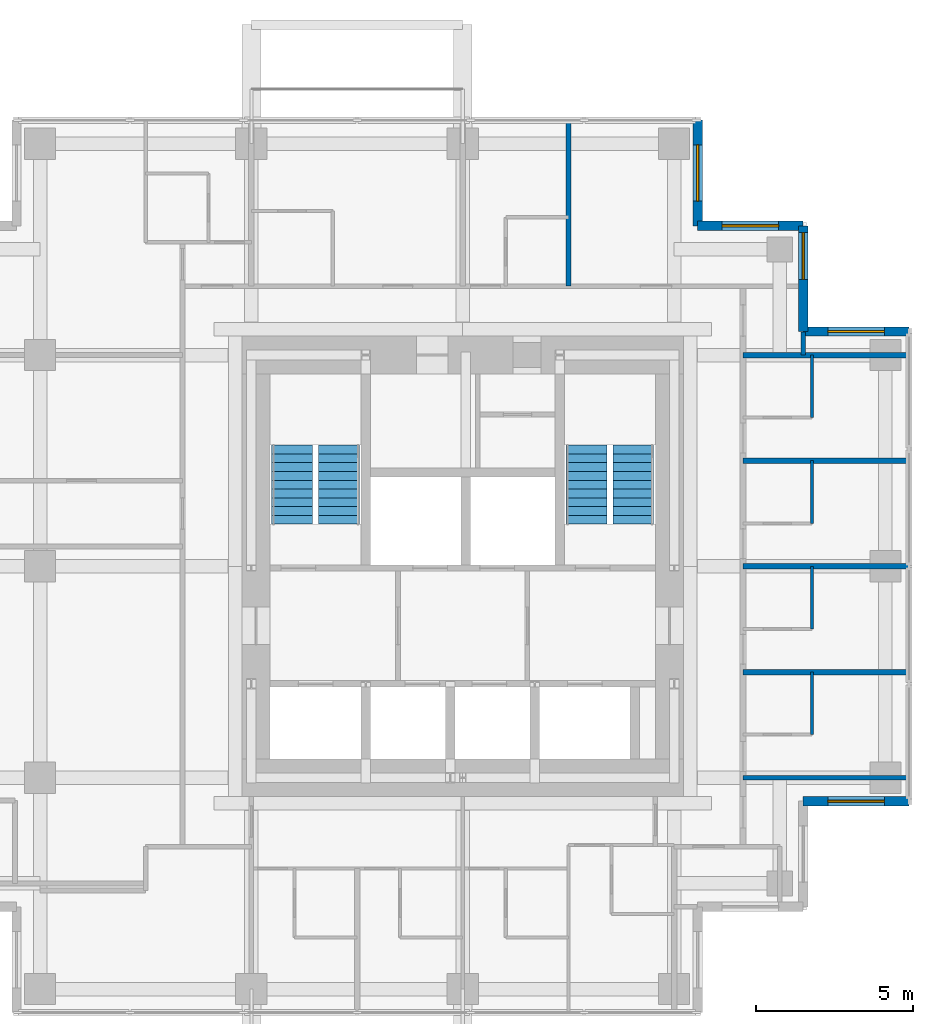
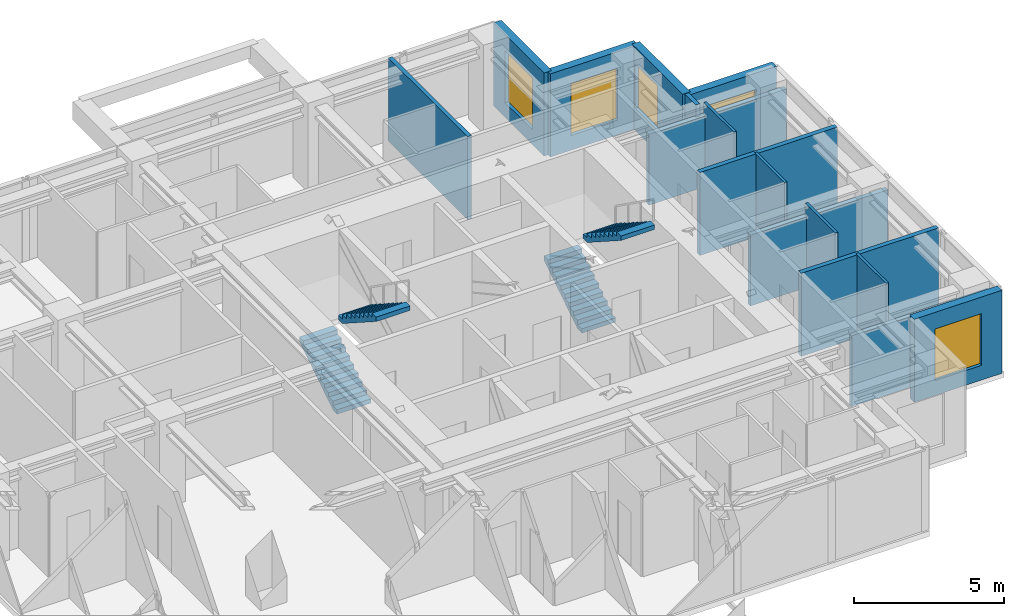
# One storey, part 7 of 8: 16 walls, 5 windows, 4 stair flights, 5 openings, 2 elements without a shape of their own.
"""IFC4 building model written with IfcOpenShell, lengths in metres."""

import ifcopenshell
import ifcopenshell.guid

model = None  # the IFC model being written
_history = None  # IfcOwnerHistory: only IFC2X3 demands one
_inside = {}  # id of a spatial element -> (the spatial element, [elements in it])
_under = {}  # id of a project, library or spatial element -> (it, [spatial elements below it])
_declared = {}  # id of a project -> (the project, [libraries it declares])
_typed = {}  # id of a type object -> (the type object, [elements of that type])
_made_of = {}  # id of a material, layer set ... -> (it, [elements and type objects made of it])


def new_model(schema):
    """Start an empty IFC model of exactly this schema.

    Asked for "IFC4X3", IfcOpenShell would pick the latest addendum, in which some entities
    have other attributes; the version numbers below select the first issue.
    IFC2X3 requires an IfcOwnerHistory on every rooted entity: one is made here for all.
    """
    global model, _history
    if schema == "IFC4X3":
        model = ifcopenshell.file(schema_version=(4, 3, 0, 0))
    else:
        model = ifcopenshell.file(schema=schema)
    _inside.clear()
    _under.clear()
    _declared.clear()
    _typed.clear()
    _made_of.clear()
    _history = None
    if model.schema == "IFC2X3":
        org = make("IfcOrganization", Name="unknown")
        user = make(
            "IfcPersonAndOrganization",
            ThePerson=make("IfcPerson", FamilyName="unknown"),
            TheOrganization=org,
        )
        app = make(
            "IfcApplication",
            ApplicationDeveloper=org,
            Version="unknown",
            ApplicationFullName="unknown",
            ApplicationIdentifier="unknown",
        )
        _history = make(
            "IfcOwnerHistory",
            OwningUser=user,
            OwningApplication=app,
            ChangeAction="ADDED",
            CreationDate=0,
        )
    return model


def make(cls, **values):
    """One entity of the class cls with the attributes given. An attribute that is None is left unset."""
    return model.create_entity(
        cls, **{name: value for name, value in values.items() if value is not None}
    )


def rooted(cls, **values):
    """An entity with a GlobalId (a new one), such as an element, a storey or a relation."""
    return make(cls, GlobalId=ifcopenshell.guid.new(), OwnerHistory=_history, **values)


def si_unit(unit_type, name, prefix=None):
    """IfcSIUnit, for example si_unit("LENGTHUNIT", "METRE", prefix="MILLI")."""
    return make("IfcSIUnit", UnitType=unit_type, Prefix=prefix, Name=name)


def assignment(units):
    """IfcUnitAssignment: the units of a project."""
    return None if units is None else make("IfcUnitAssignment", Units=units)


def point(xyz):
    """IfcCartesianPoint."""
    return None if xyz is None else make("IfcCartesianPoint", Coordinates=xyz)


def direction(xyz):
    """IfcDirection."""
    return None if xyz is None else make("IfcDirection", DirectionRatios=xyz)


def frame(location, z_axis=None, x_axis=None):
    """IfcAxis2Placement3D, a coordinate frame: its origin and axes. An axis left out is left unset."""
    return make(
        "IfcAxis2Placement3D",
        Location=point(location),
        Axis=direction(z_axis),
        RefDirection=direction(x_axis),
    )


def frame_2d(location, x_axis=None):
    """IfcAxis2Placement2D, a coordinate frame in the plane: its origin and x axis."""
    return make(
        "IfcAxis2Placement2D", Location=point(location), RefDirection=direction(x_axis)
    )


def origin():
    """The frame at (0, 0, 0) with its axes left unset."""
    return frame((0.0, 0.0, 0.0))


def place(relative_to, where):
    """IfcLocalPlacement: puts the frame where relative to a parent placement (None: the world)."""
    return make(
        "IfcLocalPlacement", PlacementRelTo=relative_to, RelativePlacement=where
    )


def context(
    kind, dimensions, precision=None, world=None, true_north=None, identifier=None
):
    """IfcGeometricRepresentationContext, for example the 3D "Model" context."""
    return make(
        "IfcGeometricRepresentationContext",
        ContextIdentifier=identifier,
        ContextType=kind,
        CoordinateSpaceDimension=dimensions,
        Precision=precision,
        WorldCoordinateSystem=world,
        TrueNorth=true_north,
    )


def subcontext(parent, identifier, kind, view, scale=None):
    """IfcGeometricRepresentationSubContext, for example "Body" below "Model"."""
    return make(
        "IfcGeometricRepresentationSubContext",
        ContextIdentifier=identifier,
        ContextType=kind,
        ParentContext=parent,
        TargetScale=scale,
        TargetView=view,
    )


def project(units=None, contexts=None):
    """IfcProject with its units and contexts."""
    return rooted(
        "IfcProject",
        Name="project",
        RepresentationContexts=contexts,
        UnitsInContext=assignment(units),
    )


def spatial(cls, under=None, at=None, **own):
    """A site, building, storey or space (cls), placed at a placement, below another one or the project."""
    s = rooted(cls, ObjectPlacement=at, **own)
    if under is not None:
        _under.setdefault(under.id(), (under, []))[1].append(s)
    return s


def polyline(points):
    """IfcPolyline through the points."""
    return make("IfcPolyline", Points=[point(p) for p in points])


def profile(cls, at=None, kind="AREA", **sizes):
    """A parametric profile (cls). Its sizes go by their IFC names, for example OverallWidth=200.0."""
    return make(cls, ProfileType=kind, Position=at, **sizes)


def rectangle(**sizes):
    """IfcRectangleProfileDef."""
    return profile("IfcRectangleProfileDef", **sizes)


def outline(outer, holes=None, kind="AREA"):
    """IfcArbitraryClosedProfileDef: a profile drawn as a closed curve; with holes, ...WithVoids."""
    if holes is None:
        return make("IfcArbitraryClosedProfileDef", ProfileType=kind, OuterCurve=outer)
    return make(
        "IfcArbitraryProfileDefWithVoids",
        ProfileType=kind,
        OuterCurve=outer,
        InnerCurves=holes,
    )


def extrude(swept, where, along, depth):
    """IfcExtrudedAreaSolid: the profile swept, set in the frame where, extruded along a direction by depth."""
    return make(
        "IfcExtrudedAreaSolid",
        SweptArea=swept,
        Position=where,
        ExtrudedDirection=direction(along),
        Depth=depth,
    )


def shape(context_of_items, identifier, shape_type, items):
    """IfcShapeRepresentation: the items that make up one representation, for example the "Body"."""
    return make(
        "IfcShapeRepresentation",
        ContextOfItems=context_of_items,
        RepresentationIdentifier=identifier,
        RepresentationType=shape_type,
        Items=items,
    )


def material(Name=None, Category=None):
    """IfcMaterial."""
    return make("IfcMaterial", Name=Name, Category=Category)


def layer(
    of_material, thickness, ventilated=None, Name=None, Category=None, Priority=None
):
    """IfcMaterialLayer: one layer of a wall or slab, of a material (None: an air gap)."""
    return make(
        "IfcMaterialLayer",
        Material=of_material,
        LayerThickness=thickness,
        IsVentilated=ventilated,
        Name=Name,
        Category=Category,
        Priority=Priority,
    )


def layer_set(layers, Name=None):
    """IfcMaterialLayerSet."""
    return make("IfcMaterialLayerSet", MaterialLayers=layers, LayerSetName=Name)


def made_of(thing, what):
    """Note that an element or type object is made of a material, layer set ...; save() writes the relation."""
    if what is not None:
        _made_of.setdefault(what.id(), (what, []))[1].append(thing)
    return thing


def type_object(cls, material=None, **own):
    """A type object (cls), such as IfcWallType, which elements share."""
    return made_of(rooted(cls, **own), material)


def element(
    cls,
    number,
    at=None,
    inside=None,
    cuts=None,
    type_object=None,
    material=None,
    context=None,
    identifier="Body",
    shape_type=None,
    held_by="IfcProductDefinitionShape",
    body=None,
    shapes=None,
    **own,
):
    """One element of the class cls, such as IfcWall. Its Tag is "e" and its number.

    at: its placement. inside: the storey or other place that contains it. cuts: it is an
    opening in that element (IfcRelVoidsElement). A single representation is given by context,
    identifier, shape_type and body (its items); several are given by shapes. held_by: the class
    of the entity that holds the representations. save() writes the other relations.
    """
    e = rooted(cls, Tag="e%d" % number, ObjectPlacement=at, **own)
    if body is not None:
        shapes = [shape(context, identifier, shape_type, body)]
    if shapes is not None:
        e.Representation = make(held_by, Representations=shapes)
    if inside is not None:
        _inside.setdefault(inside.id(), (inside, []))[1].append(e)
    if cuts is not None:
        rooted(
            "IfcRelVoidsElement", RelatingBuildingElement=cuts, RelatedOpeningElement=e
        )
    if type_object is not None:
        _typed.setdefault(type_object.id(), (type_object, []))[1].append(e)
    return made_of(e, material)


def fill(opening, filler):
    """IfcRelFillsElement: the door or window that sits in an opening."""
    return rooted(
        "IfcRelFillsElement",
        RelatingOpeningElement=opening,
        RelatedBuildingElement=filler,
    )


def aggregate(whole, parts):
    """IfcRelAggregates: a whole, such as a stair, and the parts it consists of."""
    return rooted("IfcRelAggregates", RelatingObject=whole, RelatedObjects=parts)


def save(model, path):
    """Write the relations noted so far, then the file.

    IfcRelAggregates (storeys below a building ...), IfcRelContainedInSpatialStructure (elements
    in a storey), IfcRelDefinesByType, IfcRelAssociatesMaterial and IfcRelDeclares: one each for
    every whole, place, type object, material and project.
    """
    for whole, parts in _under.values():
        aggregate(whole, parts)
    for where, things in _inside.values():
        rooted(
            "IfcRelContainedInSpatialStructure",
            RelatedElements=things,
            RelatingStructure=where,
        )
    for kind, things in _typed.values():
        rooted("IfcRelDefinesByType", RelatedObjects=things, RelatingType=kind)
    for what, things in _made_of.values():
        rooted("IfcRelAssociatesMaterial", RelatedObjects=things, RelatingMaterial=what)
    for by, libraries in _declared.values():
        rooted("IfcRelDeclares", RelatingContext=by, RelatedDefinitions=libraries)
    model.write(path)


model = new_model("IFC4")

# Units and contexts
model_context = context("Model", 3, precision=1e-05, world=origin(), true_north=direction((0.0, 1.0)))
body_context = subcontext(model_context, "Body", "Model", "MODEL_VIEW")
ifc_project = project(units=[si_unit("LENGTHUNIT", "METRE"), si_unit("AREAUNIT", "SQUARE_METRE"), si_unit("VOLUMEUNIT", "CUBIC_METRE"), si_unit("PLANEANGLEUNIT", "RADIAN"), si_unit("MASSUNIT", "GRAM", prefix="KILO")], contexts=[model_context])

# Site, building, storey
site_placement = place(None, origin())
site = spatial("IfcSite", under=ifc_project, at=site_placement, CompositionType="ELEMENT")
building_placement = place(site_placement, origin())
building = spatial("IfcBuilding", under=site, at=building_placement, Name="Nyansa Garden Tower", CompositionType="ELEMENT")
storey_placement = place(building_placement, frame((0.0, 0.0, 243.89990234375)))
storey = spatial("IfcBuildingStorey", under=building, at=storey_placement, Name="L66", CompositionType="ELEMENT", Elevation=243.89990234375)

# Walls
ifc_material_1 = material(Name="Dense blockwork, plastered both sides, 55 dB", Category="masonry")
ifc_layer_1 = layer(ifc_material_1, 0.175048828125)
ifc_layer_set_1 = layer_set([ifc_layer_1], Name="Acoustic party wall PW175")
wall_type_1 = type_object("IfcWallType", Name="Acoustic party wall PW175", PredefinedType="PARTITIONING", material=ifc_layer_set_1)
wall_1_placement = place(storey_placement, frame((29.199951171875, 16.875, 0.0), z_axis=(0.0, 0.0, 1.0), x_axis=(1.0, 0.0, 0.0)))
element("IfcWall", 1, at=wall_1_placement, inside=storey, type_object=wall_type_1, Name="Party wall", PredefinedType="PARTITIONING", context=body_context, shape_type="SweptSolid", body=[
    extrude(rectangle(XDim=5.283935546875, YDim=0.175048828125, at=frame_2d((2.64208984375, 0.0))), origin(), (0.0, 0.0, 1.0), 3.375),
])
wall_2_placement = place(storey_placement, frame((29.199951171875, 20.25, 0.0), z_axis=(0.0, 0.0, 1.0), x_axis=(1.0, 0.0, 0.0)))
element("IfcWall", 2, at=wall_2_placement, inside=storey, type_object=wall_type_1, Name="Party wall", PredefinedType="PARTITIONING", context=body_context, shape_type="SweptSolid", body=[
    extrude(rectangle(XDim=5.283935546875, YDim=0.175048828125, at=frame_2d((2.64208984375, 0.0))), origin(), (0.0, 0.0, 1.0), 2.877197265625),
])
wall_3_placement = place(storey_placement, frame((29.199951171875, 23.625, 0.0), z_axis=(0.0, 0.0, 1.0), x_axis=(1.0, 0.0, 0.0)))
element("IfcWall", 3, at=wall_3_placement, inside=storey, type_object=wall_type_1, Name="Party wall", PredefinedType="PARTITIONING", context=body_context, shape_type="SweptSolid", body=[
    extrude(rectangle(XDim=5.283935546875, YDim=0.175048828125, at=frame_2d((2.64208984375, 0.0))), origin(), (0.0, 0.0, 1.0), 3.375),
])
wall_4_placement = place(storey_placement, frame((29.199951171875, 27.0, 0.0), z_axis=(0.0, 0.0, 1.0), x_axis=(1.0, 0.0, 0.0)))
element("IfcWall", 4, at=wall_4_placement, inside=storey, type_object=wall_type_1, Name="Party wall", PredefinedType="PARTITIONING", context=body_context, shape_type="SweptSolid", body=[
    extrude(rectangle(XDim=5.283935546875, YDim=0.175048828125, at=frame_2d((2.64208984375, 0.0))), origin(), (0.0, 0.0, 1.0), 2.877197265625),
])
ifc_material_2 = material(Name="Blockwork, plastered both sides", Category="masonry")
ifc_layer_2 = layer(ifc_material_2, 0.14990234375)
ifc_layer_set_2 = layer_set([ifc_layer_2], Name="Partition PW150")
wall_type_2 = type_object("IfcWallType", Name="Partition PW150", PredefinedType="PARTITIONING", material=ifc_layer_set_2)
wall_5_placement = place(storey_placement, frame((23.625, 29.199951171875, 0.0), z_axis=(0.0, 0.0, 1.0), x_axis=(0.0, 1.0, 0.0)))
element("IfcWall", 5, at=wall_5_placement, inside=storey, type_object=wall_type_2, Name="Partition", PredefinedType="PARTITIONING", context=body_context, shape_type="SweptSolid", body=[
    extrude(rectangle(XDim=5.283935546875, YDim=0.14990234375, at=frame_2d((2.64208984375, 0.0))), origin(), (0.0, 0.0, 1.0), 3.375),
])
wall_6_placement = place(storey_placement, frame((29.199951171875, 13.5, 0.0), z_axis=(0.0, 0.0, 1.0), x_axis=(1.0, 0.0, 0.0)))
element("IfcWall", 6, at=wall_6_placement, inside=storey, type_object=wall_type_2, Name="Partition", PredefinedType="PARTITIONING", context=body_context, shape_type="SweptSolid", body=[
    extrude(rectangle(XDim=5.283935546875, YDim=0.14990234375, at=frame_2d((2.64208984375, 0.0))), origin(), (0.0, 0.0, 1.0), 2.877197265625),
])
wall_7_placement = place(storey_placement, frame((31.125, 27.0, 0.0), z_axis=(0.0, 0.0, 1.0), x_axis=(0.0, 1.0, 0.0)))
element("IfcWall", 7, at=wall_7_placement, inside=storey, type_object=wall_type_2, Name="Partition", PredefinedType="PARTITIONING", context=body_context, shape_type="SweptSolid", body=[
    extrude(rectangle(XDim=0.73388671875, YDim=0.14990234375, at=frame_2d((0.366943359375, 0.0))), origin(), (0.0, 0.0, 1.0), 3.375),
])

# Wall, opening, window
ifc_material_3 = material(Name="Turquoise glazed tile on concrete blockwork", Category="masonry")
ifc_layer_3 = layer(ifc_material_3, 0.300048828125)
ifc_layer_set_3 = layer_set([ifc_layer_3], Name="Tiled corner wall TW300")
wall_type_3 = type_object("IfcWallType", Name="Tiled corner wall TW300", PredefinedType="SOLIDWALL", material=ifc_layer_set_3)
wall_8_placement = place(storey_placement, frame((34.5, 27.75, 0.0), z_axis=(0.0, 0.0, 1.0), x_axis=(-1.0, 0.0, 0.0)))
wall_8 = element("IfcWall", 8, at=wall_8_placement, inside=storey, type_object=wall_type_3, Name="Tiled corner wall L66", PredefinedType="SOLIDWALL", context=body_context, shape_type="SweptSolid", body=[
    extrude(rectangle(XDim=3.375, YDim=0.300048828125, at=frame_2d((1.6875, 0.0))), origin(), (0.0, 0.0, 1.0), 3.375),
])
opening_1_placement = place(wall_8_placement, frame((0.78759765625, 0.0, 0.60009765625)))
opening_1 = element("IfcOpeningElement", 9, at=opening_1_placement, cuts=wall_8, Name="Opening W2", PredefinedType="OPENING", context=body_context, shape_type="SweptSolid", body=[
    extrude(rectangle(XDim=1.800048828125, YDim=2.10009765625, at=frame_2d((0.89990234375, 1.050048828125))), frame((0.0, 0.159912109375, 0.0), z_axis=(0.0, -1.0, 0.0), x_axis=(1.0, 0.0, 0.0)), (0.0, 0.0, 1.0), 0.320068359375),
])
ifc_material_4 = material(Name="Black aluminium frame, dark tinted double glazing", Category="aluminium")
window_type_1 = type_object("IfcWindowType", Name="Window W2 1800x2100", PartitioningType="SINGLE_PANEL", PredefinedType="WINDOW", material=ifc_material_4)
window_1_placement = place(opening_1_placement, origin())
window_1 = element("IfcWindow", 10, at=window_1_placement, inside=storey, type_object=window_type_1, Name="Corner window L66", OverallHeight=2.10009765625, OverallWidth=1.800048828125, PartitioningType="SINGLE_PANEL", PredefinedType="WINDOW", context=body_context, shape_type="SweptSolid", body=[
    extrude(rectangle(XDim=1.800048828125, YDim=2.10009765625, at=frame_2d((0.89990234375, 1.050048828125))), frame((0.0, 0.030029296875, 0.0), z_axis=(0.0, -1.0, 0.0), x_axis=(1.0, 0.0, 0.0)), (0.0, 0.0, 1.0), 0.06005859375),
])
fill(opening_1, window_1)

wall_9_placement = place(storey_placement, frame((31.125, 27.75, 0.0), z_axis=(0.0, 0.0, 1.0), x_axis=(0.0, 1.0, 0.0)))
wall_9 = element("IfcWall", 11, at=wall_9_placement, inside=storey, type_object=wall_type_3, Name="Tiled corner wall L66", PredefinedType="SOLIDWALL", context=body_context, shape_type="SweptSolid", body=[
    extrude(rectangle(XDim=3.375, YDim=0.300048828125, at=frame_2d((1.6875, 0.0))), origin(), (0.0, 0.0, 1.0), 3.375),
])
opening_2_placement = place(wall_9_placement, frame((1.66259765625, 0.0, 0.89990234375)))
opening_2 = element("IfcOpeningElement", 12, at=opening_2_placement, cuts=wall_9, Name="Opening W1", PredefinedType="OPENING", context=body_context, shape_type="SweptSolid", body=[
    extrude(rectangle(XDim=1.5, YDim=1.800048828125, at=frame_2d((0.75, 0.89990234375))), frame((0.0, 0.159912109375, 0.0), z_axis=(0.0, -1.0, 0.0), x_axis=(1.0, 0.0, 0.0)), (0.0, 0.0, 1.0), 0.320068359375),
])
ifc_material_5 = material(Name="Black aluminium frame, dark tinted double glazing", Category="aluminium")
window_type_2 = type_object("IfcWindowType", Name="Window W1 1500x1800", PartitioningType="SINGLE_PANEL", PredefinedType="WINDOW", material=ifc_material_5)
window_2_placement = place(opening_2_placement, origin())
window_2 = element("IfcWindow", 13, at=window_2_placement, inside=storey, type_object=window_type_2, Name="Corner window L66", OverallHeight=1.800048828125, OverallWidth=1.5, PartitioningType="SINGLE_PANEL", PredefinedType="WINDOW", context=body_context, shape_type="SweptSolid", body=[
    extrude(rectangle(XDim=1.5, YDim=1.800048828125, at=frame_2d((0.75, 0.89990234375))), frame((0.0, 0.030029296875, 0.0), z_axis=(0.0, -1.0, 0.0), x_axis=(1.0, 0.0, 0.0)), (0.0, 0.0, 1.0), 0.06005859375),
])
fill(opening_2, window_2)

wall_10_placement = place(storey_placement, frame((31.125, 31.125, 0.0), z_axis=(0.0, 0.0, 1.0), x_axis=(-1.0, 0.0, 0.0)))
wall_10 = element("IfcWall", 14, at=wall_10_placement, inside=storey, type_object=wall_type_3, Name="Tiled corner wall L66", PredefinedType="SOLIDWALL", context=body_context, shape_type="SweptSolid", body=[
    extrude(rectangle(XDim=3.375, YDim=0.300048828125, at=frame_2d((1.6875, 0.0))), origin(), (0.0, 0.0, 1.0), 3.375),
])
opening_3_placement = place(wall_10_placement, frame((0.78759765625, 0.0, 0.60009765625)))
opening_3 = element("IfcOpeningElement", 15, at=opening_3_placement, cuts=wall_10, Name="Opening W2", PredefinedType="OPENING", context=body_context, shape_type="SweptSolid", body=[
    extrude(rectangle(XDim=1.800048828125, YDim=2.10009765625, at=frame_2d((0.89990234375, 1.050048828125))), frame((0.0, 0.159912109375, 0.0), z_axis=(0.0, -1.0, 0.0), x_axis=(1.0, 0.0, 0.0)), (0.0, 0.0, 1.0), 0.320068359375),
])
window_3_placement = place(opening_3_placement, origin())
window_3 = element("IfcWindow", 16, at=window_3_placement, inside=storey, type_object=window_type_1, Name="Corner window L66", OverallHeight=2.10009765625, OverallWidth=1.800048828125, PartitioningType="SINGLE_PANEL", PredefinedType="WINDOW", context=body_context, shape_type="SweptSolid", body=[
    extrude(rectangle(XDim=1.800048828125, YDim=2.10009765625, at=frame_2d((0.89990234375, 1.050048828125))), frame((0.0, 0.030029296875, 0.0), z_axis=(0.0, -1.0, 0.0), x_axis=(1.0, 0.0, 0.0)), (0.0, 0.0, 1.0), 0.06005859375),
])
fill(opening_3, window_3)

wall_11_placement = place(storey_placement, frame((27.75, 31.125, 0.0), z_axis=(0.0, 0.0, 1.0), x_axis=(0.0, 1.0, 0.0)))
wall_11 = element("IfcWall", 17, at=wall_11_placement, inside=storey, type_object=wall_type_3, Name="Tiled corner wall L66", PredefinedType="SOLIDWALL", context=body_context, shape_type="SweptSolid", body=[
    extrude(rectangle(XDim=3.375, YDim=0.300048828125, at=frame_2d((1.6875, 0.0))), origin(), (0.0, 0.0, 1.0), 3.375),
])
opening_4_placement = place(wall_11_placement, frame((0.78759765625, 0.0, 0.60009765625)))
opening_4 = element("IfcOpeningElement", 18, at=opening_4_placement, cuts=wall_11, Name="Opening W2", PredefinedType="OPENING", context=body_context, shape_type="SweptSolid", body=[
    extrude(rectangle(XDim=1.800048828125, YDim=2.10009765625, at=frame_2d((0.89990234375, 1.050048828125))), frame((0.0, 0.159912109375, 0.0), z_axis=(0.0, -1.0, 0.0), x_axis=(1.0, 0.0, 0.0)), (0.0, 0.0, 1.0), 0.320068359375),
])
window_4_placement = place(opening_4_placement, origin())
window_4 = element("IfcWindow", 19, at=window_4_placement, inside=storey, type_object=window_type_1, Name="Corner window L66", OverallHeight=2.10009765625, OverallWidth=1.800048828125, PartitioningType="SINGLE_PANEL", PredefinedType="WINDOW", context=body_context, shape_type="SweptSolid", body=[
    extrude(rectangle(XDim=1.800048828125, YDim=2.10009765625, at=frame_2d((0.89990234375, 1.050048828125))), frame((0.0, 0.030029296875, 0.0), z_axis=(0.0, -1.0, 0.0), x_axis=(1.0, 0.0, 0.0)), (0.0, 0.0, 1.0), 0.06005859375),
])
fill(opening_4, window_4)

wall_12_placement = place(storey_placement, frame((31.125, 12.75, 0.0), z_axis=(0.0, 0.0, 1.0), x_axis=(1.0, 0.0, 0.0)))
wall_12 = element("IfcWall", 20, at=wall_12_placement, inside=storey, type_object=wall_type_3, Name="Tiled corner wall L66", PredefinedType="SOLIDWALL", context=body_context, shape_type="SweptSolid", body=[
    extrude(rectangle(XDim=3.375, YDim=0.300048828125, at=frame_2d((1.6875, 0.0))), origin(), (0.0, 0.0, 1.0), 3.375),
])
opening_5_placement = place(wall_12_placement, frame((0.78759765625, 0.0, 0.60009765625)))
opening_5 = element("IfcOpeningElement", 21, at=opening_5_placement, cuts=wall_12, Name="Opening W2", PredefinedType="OPENING", context=body_context, shape_type="SweptSolid", body=[
    extrude(rectangle(XDim=1.800048828125, YDim=2.10009765625, at=frame_2d((0.89990234375, 1.050048828125))), frame((0.0, 0.159912109375, 0.0), z_axis=(0.0, -1.0, 0.0), x_axis=(1.0, 0.0, 0.0)), (0.0, 0.0, 1.0), 0.320068359375),
])
window_5_placement = place(opening_5_placement, origin())
window_5 = element("IfcWindow", 22, at=window_5_placement, inside=storey, type_object=window_type_1, Name="Corner window L66", OverallHeight=2.10009765625, OverallWidth=1.800048828125, PartitioningType="SINGLE_PANEL", PredefinedType="WINDOW", context=body_context, shape_type="SweptSolid", body=[
    extrude(rectangle(XDim=1.800048828125, YDim=2.10009765625, at=frame_2d((0.89990234375, 1.050048828125))), frame((0.0, 0.030029296875, 0.0), z_axis=(0.0, -1.0, 0.0), x_axis=(1.0, 0.0, 0.0)), (0.0, 0.0, 1.0), 0.06005859375),
])
fill(opening_5, window_5)

# Walls
ifc_material_6 = material(Name="Moisture resistant board on steel studs, tiled", Category="steel")
ifc_layer_4 = layer(ifc_material_6, 0.10009765625)
ifc_layer_set_4 = layer_set([ifc_layer_4], Name="Wet wall PW100")
wall_type_4 = type_object("IfcWallType", Name="Wet wall PW100", PredefinedType="PARTITIONING", material=ifc_layer_set_4)
for number, where, z_axis, x_axis, name in (
    (23, (31.39990234375, 14.875, 0.0), (0.0, 0.0, 1.0), (0.0, 1.0, 0.0), "Wet wall"),
    (24, (31.39990234375, 18.25, 0.0), (0.0, 0.0, 1.0), (0.0, 1.0, 0.0), "Wet wall"),
    (25, (31.39990234375, 21.625, 0.0), (0.0, 0.0, 1.0), (0.0, 1.0, 0.0), "Wet wall"),
    (26, (31.39990234375, 25.0, 0.0), (0.0, 0.0, 1.0), (0.0, 1.0, 0.0), "Wet wall"),
):
    element("IfcWall", number, at=place(storey_placement, frame(where, z_axis=z_axis, x_axis=x_axis)), inside=storey, type_object=wall_type_4, Name=name, PredefinedType="PARTITIONING", context=body_context, shape_type="SweptSolid", body=[
        extrude(rectangle(XDim=2.0, YDim=0.10009765625, at=frame_2d((1.0, 0.0))), origin(), (0.0, 0.0, 1.0), 3.375),
    ])

# Stair, stair flights
ifc_material_7 = material(Name="Precast concrete C40/50", Category="concrete")
stair_type_1 = type_object("IfcStairType", Name="Stair S1 180x280", PredefinedType="HALF_TURN_STAIR", material=ifc_material_7)
stair_1_placement = place(storey_placement, origin())
stair_1 = element("IfcStair", 27, at=stair_1_placement, inside=storey, type_object=stair_type_1, Name="Stair S1 L66", PredefinedType="HALF_TURN_STAIR")
ifc_material_8 = material(Name="Precast concrete C40/50", Category="concrete")
stair_flight_type_1 = type_object("IfcStairFlightType", Name="Stair flight S1 180x280x10", PredefinedType="STRAIGHT", material=ifc_material_8)
stair_flight_1_placement = place(storey_placement, frame((14.800048828125, 21.60009765625, 0.0), z_axis=(0.0, 0.0, 1.0), x_axis=(0.0, 1.0, 0.0)))
stair_flight_1 = element("IfcStairFlight", 28, at=stair_flight_1_placement, type_object=stair_flight_type_1, Name="S1 flight 1", NumberOfRisers=10, NumberOfTreads=9, PredefinedType="STRAIGHT", RiserHeight=0.18, TreadLength=0.28, context=body_context, shape_type="SweptSolid", body=[
    extrude(outline(polyline([(0.0, 0.0), (0.0, 0.179931640625), (0.280029296875, 0.179931640625), (0.280029296875, 0.360107421875), (0.56005859375, 0.360107421875), (0.56005859375, 0.5400390625), (0.840087890625, 0.5400390625), (0.840087890625, 0.719970703125), (1.1201171875, 0.719970703125), (1.1201171875, 0.89990234375), (1.39990234375, 0.89990234375), (1.39990234375, 1.080078125), (1.679931640625, 1.080078125), (1.679931640625, 1.260009765625), (1.9599609375, 1.260009765625), (1.9599609375, 1.43994140625), (2.239990234375, 1.43994140625), (2.239990234375, 1.6201171875), (2.52001953125, 1.6201171875), (2.52001953125, 1.800048828125), (2.52001953125, 1.44189453125), (0.277099609375, 0.0), (0.0, 0.0)])), frame((0.0, 0.64990234375, 0.0), z_axis=(0.0, -1.0, 0.0), x_axis=(1.0, 0.0, 0.0)), (0.0, 0.0, 1.0), 1.300048828125),
])
stair_flight_2_placement = place(storey_placement, frame((16.300048828125, 24.1201171875, 1.800048828125), z_axis=(0.0, 0.0, 1.0), x_axis=(0.0, -1.0, 0.0)))
stair_flight_2 = element("IfcStairFlight", 29, at=stair_flight_2_placement, type_object=stair_flight_type_1, Name="S1 flight 2", NumberOfRisers=10, NumberOfTreads=9, PredefinedType="STRAIGHT", RiserHeight=0.18, TreadLength=0.28, context=body_context, shape_type="SweptSolid", body=[
    extrude(outline(polyline([(0.0, 0.0), (0.0, 0.179931640625), (0.280029296875, 0.179931640625), (0.280029296875, 0.360107421875), (0.56005859375, 0.360107421875), (0.56005859375, 0.5400390625), (0.840087890625, 0.5400390625), (0.840087890625, 0.719970703125), (1.1201171875, 0.719970703125), (1.1201171875, 0.89990234375), (1.39990234375, 0.89990234375), (1.39990234375, 1.080078125), (1.679931640625, 1.080078125), (1.679931640625, 1.260009765625), (1.9599609375, 1.260009765625), (1.9599609375, 1.43994140625), (2.239990234375, 1.43994140625), (2.239990234375, 1.6201171875), (2.52001953125, 1.6201171875), (2.52001953125, 1.800048828125), (2.52001953125, 1.44189453125), (0.277099609375, 0.0), (0.0, 0.0)])), frame((0.0, 0.64990234375, 0.0), z_axis=(0.0, -1.0, 0.0), x_axis=(1.0, 0.0, 0.0)), (0.0, 0.0, 1.0), 1.300048828125),
])
aggregate(stair_1, [stair_flight_1, stair_flight_2])

ifc_material_9 = material(Name="Precast concrete C40/50", Category="concrete")
stair_type_2 = type_object("IfcStairType", Name="Stair S2 180x280", PredefinedType="HALF_TURN_STAIR", material=ifc_material_9)
stair_2_placement = place(storey_placement, origin())
stair_2 = element("IfcStair", 30, at=stair_2_placement, inside=storey, type_object=stair_type_2, Name="Stair S2 L66", PredefinedType="HALF_TURN_STAIR")
ifc_material_10 = material(Name="Precast concrete C40/50", Category="concrete")
stair_flight_type_2 = type_object("IfcStairFlightType", Name="Stair flight S2 180x280x10", PredefinedType="STRAIGHT", material=ifc_material_10)
stair_flight_3_placement = place(storey_placement, frame((24.199951171875, 21.60009765625, 0.0), z_axis=(0.0, 0.0, 1.0), x_axis=(0.0, 1.0, 0.0)))
stair_flight_3 = element("IfcStairFlight", 31, at=stair_flight_3_placement, type_object=stair_flight_type_2, Name="S2 flight 1", NumberOfRisers=10, NumberOfTreads=9, PredefinedType="STRAIGHT", RiserHeight=0.18, TreadLength=0.28, context=body_context, shape_type="SweptSolid", body=[
    extrude(outline(polyline([(0.0, 0.0), (0.0, 0.179931640625), (0.280029296875, 0.179931640625), (0.280029296875, 0.360107421875), (0.56005859375, 0.360107421875), (0.56005859375, 0.5400390625), (0.840087890625, 0.5400390625), (0.840087890625, 0.719970703125), (1.1201171875, 0.719970703125), (1.1201171875, 0.89990234375), (1.39990234375, 0.89990234375), (1.39990234375, 1.080078125), (1.679931640625, 1.080078125), (1.679931640625, 1.260009765625), (1.9599609375, 1.260009765625), (1.9599609375, 1.43994140625), (2.239990234375, 1.43994140625), (2.239990234375, 1.6201171875), (2.52001953125, 1.6201171875), (2.52001953125, 1.800048828125), (2.52001953125, 1.44189453125), (0.277099609375, 0.0), (0.0, 0.0)])), frame((0.0, 0.64990234375, 0.0), z_axis=(0.0, -1.0, 0.0), x_axis=(1.0, 0.0, 0.0)), (0.0, 0.0, 1.0), 1.300048828125),
])
stair_flight_4_placement = place(storey_placement, frame((25.699951171875, 24.1201171875, 1.800048828125), z_axis=(0.0, 0.0, 1.0), x_axis=(0.0, -1.0, 0.0)))
stair_flight_4 = element("IfcStairFlight", 32, at=stair_flight_4_placement, type_object=stair_flight_type_2, Name="S2 flight 2", NumberOfRisers=10, NumberOfTreads=9, PredefinedType="STRAIGHT", RiserHeight=0.18, TreadLength=0.28, context=body_context, shape_type="SweptSolid", body=[
    extrude(outline(polyline([(0.0, 0.0), (0.0, 0.179931640625), (0.280029296875, 0.179931640625), (0.280029296875, 0.360107421875), (0.56005859375, 0.360107421875), (0.56005859375, 0.5400390625), (0.840087890625, 0.5400390625), (0.840087890625, 0.719970703125), (1.1201171875, 0.719970703125), (1.1201171875, 0.89990234375), (1.39990234375, 0.89990234375), (1.39990234375, 1.080078125), (1.679931640625, 1.080078125), (1.679931640625, 1.260009765625), (1.9599609375, 1.260009765625), (1.9599609375, 1.43994140625), (2.239990234375, 1.43994140625), (2.239990234375, 1.6201171875), (2.52001953125, 1.6201171875), (2.52001953125, 1.800048828125), (2.52001953125, 1.44189453125), (0.277099609375, 0.0), (0.0, 0.0)])), frame((0.0, 0.64990234375, 0.0), z_axis=(0.0, -1.0, 0.0), x_axis=(1.0, 0.0, 0.0)), (0.0, 0.0, 1.0), 1.300048828125),
])
aggregate(stair_2, [stair_flight_3, stair_flight_4])

save(model, "model.ifc")
